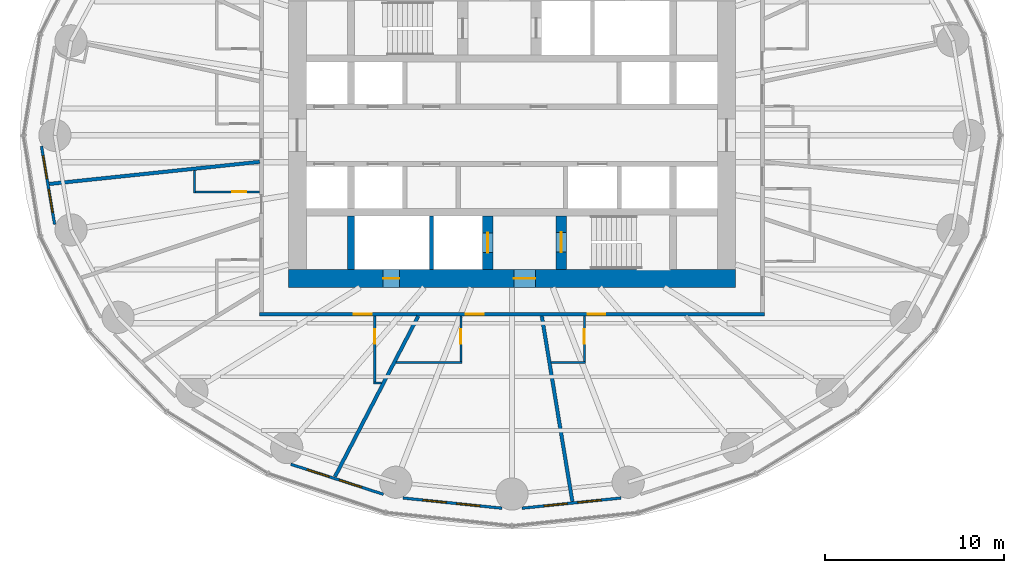
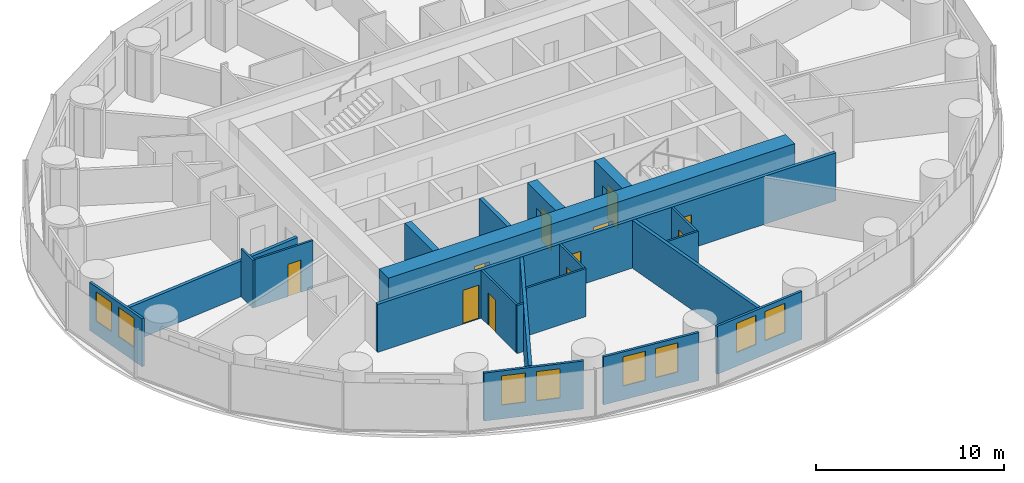
# One storey, part 6 of 13: 21 walls, 11 doors, 8 windows, 19 openings.
"""IFC4 building model written with IfcOpenShell, lengths in metres."""

from ifc_helpers import new_model, si_unit, direction, frame, frame_2d, origin, place, context, subcontext, project, spatial, rectangle, extrude, material, layer, layer_set, type_object, element, fill, save


model = new_model("IFC4")

# Units and contexts
model_context = context("Model", 3, precision=1e-05, world=origin(), true_north=direction((0.0, 1.0)))
body_context = subcontext(model_context, "Body", "Model", "MODEL_VIEW")
ifc_project = project(units=[si_unit("LENGTHUNIT", "METRE"), si_unit("AREAUNIT", "SQUARE_METRE"), si_unit("VOLUMEUNIT", "CUBIC_METRE"), si_unit("PLANEANGLEUNIT", "RADIAN"), si_unit("MASSUNIT", "GRAM", prefix="KILO")], contexts=[model_context])

# Site, building, storey
site_placement = place(None, origin())
site = spatial("IfcSite", under=ifc_project, at=site_placement, CompositionType="ELEMENT")
building_placement = place(site_placement, origin())
building = spatial("IfcBuilding", under=site, at=building_placement, Name="Hankou Lantern Tower", CompositionType="ELEMENT")
storey_placement = place(building_placement, frame((0.0, 0.0, 39.300048828125)))
storey = spatial("IfcBuildingStorey", under=building, at=storey_placement, Name="L08", CompositionType="ELEMENT", Elevation=39.300048828125)

# Wall, openings, doors
ifc_material_1 = material(Name="Concrete C60", Category="concrete")
ifc_layer_1 = layer(ifc_material_1, 1.0)
ifc_layer_set_1 = layer_set([ifc_layer_1], Name="Concrete C60")
wall_type_1 = type_object("IfcWallType", Name="CW1 CORE WALL 1000", PredefinedType="SHEAR", material=ifc_layer_set_1)
wall_1_placement = place(storey_placement, frame((12.5, -8.0, 0.0), z_axis=(0.0, 0.0, 1.0), x_axis=(-1.0, 0.0, 0.0)))
wall_1 = element("IfcWall", 1, at=wall_1_placement, inside=storey, type_object=wall_type_1, Name="Core wall south L08", PredefinedType="SHEAR", context=body_context, shape_type="SweptSolid", body=[
    extrude(rectangle(XDim=25.0, YDim=1.0, at=frame_2d((12.5, 0.0))), origin(), (0.0, 0.0, 1.0), 3.300048828125),
])
opening_1_placement = place(wall_1_placement, frame((11.199951171875, 0.0, 0.0)))
opening_1 = element("IfcOpeningElement", 2, at=opening_1_placement, cuts=wall_1, Name="Opening D5", PredefinedType="OPENING", context=body_context, shape_type="SweptSolid", body=[
    extrude(rectangle(XDim=1.199951171875, YDim=2.199951171875, at=frame_2d((0.60009765625, 1.10009765625))), frame((0.0, 0.510009765625, 0.0), z_axis=(0.0, -1.0, 0.0), x_axis=(1.0, 0.0, 0.0)), (0.0, 0.0, 1.0), 1.02001953125),
])
opening_2_placement = place(wall_1_placement, frame((18.800048828125, 0.0, 0.0)))
opening_2 = element("IfcOpeningElement", 3, at=opening_2_placement, cuts=wall_1, Name="Opening D7", PredefinedType="OPENING", context=body_context, shape_type="SweptSolid", body=[
    extrude(rectangle(XDim=0.89990234375, YDim=2.199951171875, at=frame_2d((0.449951171875, 1.10009765625))), frame((0.0, 0.510009765625, 0.0), z_axis=(0.0, -1.0, 0.0), x_axis=(1.0, 0.0, 0.0)), (0.0, 0.0, 1.0), 1.02001953125),
])
ifc_material_2 = material(Name="Steel door leaf", Category="steel")
door_type_1 = type_object("IfcDoorType", Name="D5 STAIR LOBBY DOOR 1200X2200", OperationType="SINGLE_SWING_LEFT", PredefinedType="DOOR", material=ifc_material_2)
door_1_placement = place(opening_1_placement, origin())
door_1 = element("IfcDoor", 4, at=door_1_placement, inside=storey, type_object=door_type_1, Name="Stair B lobby door", OperationType="SINGLE_SWING_LEFT", OverallHeight=2.199951171875, OverallWidth=1.199951171875, PredefinedType="DOOR", context=body_context, shape_type="SweptSolid", body=[
    extrude(rectangle(XDim=1.199951171875, YDim=2.199951171875, at=frame_2d((0.60009765625, 1.10009765625))), frame((0.0, 0.02490234375, 0.0), z_axis=(0.0, -1.0, 0.0), x_axis=(1.0, 0.0, 0.0)), (0.0, 0.0, 1.0), 0.050048828125),
])
fill(opening_1, door_1)
ifc_material_3 = material(Name="Steel door leaf", Category="steel")
door_type_2 = type_object("IfcDoorType", Name="D7 RISER DOOR 900X2200", OperationType="SINGLE_SWING_LEFT", PredefinedType="DOOR", material=ifc_material_3)
door_2_placement = place(opening_2_placement, origin())
door_2 = element("IfcDoor", 5, at=door_2_placement, inside=storey, type_object=door_type_2, Name="Riser S1 door", OperationType="SINGLE_SWING_RIGHT", OverallHeight=2.199951171875, OverallWidth=0.89990234375, PredefinedType="DOOR", context=body_context, shape_type="SweptSolid", body=[
    extrude(rectangle(XDim=0.89990234375, YDim=2.199951171875, at=frame_2d((0.449951171875, 1.10009765625))), frame((0.0, 0.02490234375, 0.0), z_axis=(0.0, -1.0, 0.0), x_axis=(1.0, 0.0, 0.0)), (0.0, 0.0, 1.0), 0.050048828125),
])
fill(opening_2, door_2)

# Wall
ifc_material_4 = material(Name="Concrete C60", Category="concrete")
ifc_layer_2 = layer(ifc_material_4, 0.39990234375)
ifc_layer_set_2 = layer_set([ifc_layer_2], Name="Concrete C60")
wall_type_2 = type_object("IfcWallType", Name="CW4 CORE CROSS WALL 400", PredefinedType="SHEAR", material=ifc_layer_set_2)
wall_2_placement = place(storey_placement, frame((-9.0, -7.5, 0.0), z_axis=(0.0, 0.0, 1.0), x_axis=(0.0, 1.0, 0.0)))
element("IfcWall", 6, at=wall_2_placement, inside=storey, type_object=wall_type_2, Name="Core strip wall L08", PredefinedType="SHEAR", context=body_context, shape_type="SweptSolid", body=[
    extrude(rectangle(XDim=3.0, YDim=0.39990234375, at=frame_2d((1.5, 0.0))), origin(), (0.0, 0.0, 1.0), 3.300048828125),
])

# Wall, opening, door
ifc_material_5 = material(Name="Concrete C60", Category="concrete")
ifc_layer_3 = layer(ifc_material_5, 0.60009765625)
ifc_layer_set_3 = layer_set([ifc_layer_3], Name="Concrete C60")
wall_type_3 = type_object("IfcWallType", Name="CW6 STAIR AND SHAFT WALL 600", PredefinedType="SHEAR", material=ifc_layer_set_3)
wall_3_placement = place(storey_placement, frame((2.75, -7.5, 0.0), z_axis=(0.0, 0.0, 1.0), x_axis=(0.0, 1.0, 0.0)))
wall_3 = element("IfcWall", 7, at=wall_3_placement, inside=storey, type_object=wall_type_3, Name="Stair wall L08", PredefinedType="SHEAR", context=body_context, shape_type="SweptSolid", body=[
    extrude(rectangle(XDim=3.0, YDim=0.60009765625, at=frame_2d((1.5, 0.0))), origin(), (0.0, 0.0, 1.0), 3.300048828125),
])
opening_3_placement = place(wall_3_placement, frame((0.97509765625, 0.0, 0.0)))
opening_3 = element("IfcOpeningElement", 8, at=opening_3_placement, cuts=wall_3, Name="Opening D4", PredefinedType="OPENING", context=body_context, shape_type="SweptSolid", body=[
    extrude(rectangle(XDim=1.10009765625, YDim=2.199951171875, at=frame_2d((0.550048828125, 1.10009765625))), frame((0.0, 0.31005859375, 0.0), z_axis=(0.0, -1.0, 0.0), x_axis=(1.0, 0.0, 0.0)), (0.0, 0.0, 1.0), 0.6201171875),
])
ifc_material_6 = material(Name="Steel door leaf", Category="steel")
door_type_3 = type_object("IfcDoorType", Name="D4 STAIR DOOR 1100X2200", OperationType="SINGLE_SWING_LEFT", PredefinedType="DOOR", material=ifc_material_6)
door_3_placement = place(opening_3_placement, origin())
door_3 = element("IfcDoor", 9, at=door_3_placement, inside=storey, type_object=door_type_3, Name="Stair B door", OperationType="SINGLE_SWING_RIGHT", OverallHeight=2.199951171875, OverallWidth=1.10009765625, PredefinedType="DOOR", context=body_context, shape_type="SweptSolid", body=[
    extrude(rectangle(XDim=1.10009765625, YDim=2.199951171875, at=frame_2d((0.550048828125, 1.10009765625))), frame((0.0, 0.02490234375, 0.0), z_axis=(0.0, -1.0, 0.0), x_axis=(1.0, 0.0, 0.0)), (0.0, 0.0, 1.0), 0.050048828125),
])
fill(opening_3, door_3)

wall_4_placement = place(storey_placement, frame((-1.35009765625, -7.5, 0.0), z_axis=(0.0, 0.0, 1.0), x_axis=(0.0, 1.0, 0.0)))
wall_4 = element("IfcWall", 10, at=wall_4_placement, inside=storey, type_object=wall_type_3, Name="Firefighting lift shaft wall L08", PredefinedType="SHEAR", context=body_context, shape_type="SweptSolid", body=[
    extrude(rectangle(XDim=3.0, YDim=0.60009765625, at=frame_2d((1.5, 0.0))), origin(), (0.0, 0.0, 1.0), 3.300048828125),
])
opening_4_placement = place(wall_4_placement, frame((0.949951171875, 0.0, 0.0)))
opening_4 = element("IfcOpeningElement", 11, at=opening_4_placement, cuts=wall_4, Name="Opening LD2", PredefinedType="OPENING", context=body_context, shape_type="SweptSolid", body=[
    extrude(rectangle(XDim=1.10009765625, YDim=2.199951171875, at=frame_2d((0.550048828125, 1.10009765625))), frame((0.0, 0.31005859375, 0.0), z_axis=(0.0, -1.0, 0.0), x_axis=(1.0, 0.0, 0.0)), (0.0, 0.0, 1.0), 0.6201171875),
])
ifc_material_7 = material(Name="Steel door leaf", Category="steel")
door_type_4 = type_object("IfcDoorType", Name="LD2 FIREFIGHTING LIFT LANDING DOOR 1100X2200", OperationType="DOUBLE_DOOR_SLIDING", PredefinedType="DOOR", material=ifc_material_7)
door_4_placement = place(opening_4_placement, origin())
door_4 = element("IfcDoor", 12, at=door_4_placement, inside=storey, type_object=door_type_4, Name="Firefighting lift FL2 landing door", OperationType="DOUBLE_DOOR_SLIDING", OverallHeight=2.199951171875, OverallWidth=1.10009765625, PredefinedType="DOOR", context=body_context, shape_type="SweptSolid", body=[
    extrude(rectangle(XDim=1.10009765625, YDim=2.199951171875, at=frame_2d((0.550048828125, 1.10009765625))), frame((0.0, 0.02490234375, 0.0), z_axis=(0.0, -1.0, 0.0), x_axis=(1.0, 0.0, 0.0)), (0.0, 0.0, 1.0), 0.050048828125),
])
fill(opening_4, door_4)

# Wall, openings, windows
ifc_material_8 = material(Name="Aluminium spandrel panel on steel studs", Category="steel")
ifc_layer_4 = layer(ifc_material_8, 0.14990234375)
ifc_layer_set_4 = layer_set([ifc_layer_4], Name="Aluminium spandrel panel on steel studs")
wall_type_4 = type_object("IfcWallType", Name="EW1 INNER SKIN WALL 150", PredefinedType="ELEMENTEDWALL", material=ifc_layer_set_4)
wall_5_placement = place(storey_placement, frame((-26.29736328125, -0.611083984375, 0.0), z_axis=(0.0, 0.0, 1.0), x_axis=(0.165641751141, -0.986185991727, 0.0)))
wall_5 = element("IfcWall", 13, at=wall_5_placement, inside=storey, type_object=wall_type_4, Name="Inner skin R13-R14 L08", PredefinedType="ELEMENTEDWALL", context=body_context, shape_type="SweptSolid", body=[
    extrude(rectangle(XDim=4.427734375, YDim=0.14990234375, at=frame_2d((2.2138671875, 0.0))), origin(), (0.0, 0.0, 1.0), 3.119873046875),
])
opening_5_placement = place(wall_5_placement, frame((0.5498046875, 0.0, 0.89990234375)))
opening_5 = element("IfcOpeningElement", 14, at=opening_5_placement, cuts=wall_5, Name="Opening W9", PredefinedType="OPENING", context=body_context, shape_type="SweptSolid", body=[
    extrude(rectangle(XDim=1.300048828125, YDim=1.89990234375, at=frame_2d((0.64990234375, 0.949951171875))), frame((0.0, 0.0849609375, 0.0), z_axis=(0.0, -1.0, 0.0), x_axis=(1.0, 0.0, 0.0)), (0.0, 0.0, 1.0), 0.169921875),
])
opening_6_placement = place(wall_5_placement, frame((2.44970703125, 0.0, 0.89990234375)))
opening_6 = element("IfcOpeningElement", 15, at=opening_6_placement, cuts=wall_5, Name="Opening W9", PredefinedType="OPENING", context=body_context, shape_type="SweptSolid", body=[
    extrude(rectangle(XDim=1.300048828125, YDim=1.89990234375, at=frame_2d((0.64990234375, 0.949951171875))), frame((0.0, 0.0849609375, 0.0), z_axis=(0.0, -1.0, 0.0), x_axis=(1.0, 0.0, 0.0)), (0.0, 0.0, 1.0), 0.169921875),
])
ifc_material_9 = material(Name="Aluminium framed double glazed window", Category="aluminium")
window_type = type_object("IfcWindowType", Name="W9 GUEST ROOM WINDOW 1300X1900", PartitioningType="DOUBLE_PANEL_VERTICAL", PredefinedType="WINDOW", material=ifc_material_9)
window_1_placement = place(opening_5_placement, origin())
window_1 = element("IfcWindow", 16, at=window_1_placement, inside=storey, type_object=window_type, Name="Window R13.1 L08", OverallHeight=1.89990234375, OverallWidth=1.300048828125, PartitioningType="SINGLE_PANEL", PredefinedType="WINDOW", context=body_context, shape_type="SweptSolid", body=[
    extrude(rectangle(XDim=1.300048828125, YDim=1.89990234375, at=frame_2d((0.64990234375, 0.949951171875))), frame((0.0, 0.030029296875, 0.0), z_axis=(0.0, -1.0, 0.0), x_axis=(1.0, 0.0, 0.0)), (0.0, 0.0, 1.0), 0.06005859375),
])
fill(opening_5, window_1)
window_2_placement = place(opening_6_placement, origin())
window_2 = element("IfcWindow", 17, at=window_2_placement, inside=storey, type_object=window_type, Name="Window R13.2 L08", OverallHeight=1.89990234375, OverallWidth=1.300048828125, PartitioningType="SINGLE_PANEL", PredefinedType="WINDOW", context=body_context, shape_type="SweptSolid", body=[
    extrude(rectangle(XDim=1.300048828125, YDim=1.89990234375, at=frame_2d((0.64990234375, 0.949951171875))), frame((0.0, 0.030029296875, 0.0), z_axis=(0.0, -1.0, 0.0), x_axis=(1.0, 0.0, 0.0)), (0.0, 0.0, 1.0), 0.06005859375),
])
fill(opening_6, window_2)

wall_6_placement = place(storey_placement, frame((-12.3662109375, -18.384033203125, 0.0), z_axis=(0.0, 0.0, 1.0), x_axis=(0.951138486029, -0.308764603532, 0.0)))
wall_6 = element("IfcWall", 18, at=wall_6_placement, inside=storey, type_object=wall_type_4, Name="Inner skin R17-R18 L08", PredefinedType="ELEMENTEDWALL", context=body_context, shape_type="SweptSolid", body=[
    extrude(rectangle(XDim=5.444091796875, YDim=0.14990234375, at=frame_2d((2.72216796875, 0.0))), origin(), (0.0, 0.0, 1.0), 3.119873046875),
])
opening_7_placement = place(wall_6_placement, frame((0.959716796875, 0.0, 0.89990234375)))
opening_7 = element("IfcOpeningElement", 19, at=opening_7_placement, cuts=wall_6, Name="Opening W9", PredefinedType="OPENING", context=body_context, shape_type="SweptSolid", body=[
    extrude(rectangle(XDim=1.300048828125, YDim=1.89990234375, at=frame_2d((0.64990234375, 0.949951171875))), frame((0.0, 0.0849609375, 0.0), z_axis=(0.0, -1.0, 0.0), x_axis=(1.0, 0.0, 0.0)), (0.0, 0.0, 1.0), 0.169921875),
])
opening_8_placement = place(wall_6_placement, frame((2.85986328125, 0.0, 0.89990234375)))
opening_8 = element("IfcOpeningElement", 20, at=opening_8_placement, cuts=wall_6, Name="Opening W9", PredefinedType="OPENING", context=body_context, shape_type="SweptSolid", body=[
    extrude(rectangle(XDim=1.300048828125, YDim=1.89990234375, at=frame_2d((0.64990234375, 0.949951171875))), frame((0.0, 0.0849609375, 0.0), z_axis=(0.0, -1.0, 0.0), x_axis=(1.0, 0.0, 0.0)), (0.0, 0.0, 1.0), 0.169921875),
])
window_3_placement = place(opening_7_placement, origin())
window_3 = element("IfcWindow", 21, at=window_3_placement, inside=storey, type_object=window_type, Name="Window R17.1 L08", OverallHeight=1.89990234375, OverallWidth=1.300048828125, PartitioningType="SINGLE_PANEL", PredefinedType="WINDOW", context=body_context, shape_type="SweptSolid", body=[
    extrude(rectangle(XDim=1.300048828125, YDim=1.89990234375, at=frame_2d((0.64990234375, 0.949951171875))), frame((0.0, 0.030029296875, 0.0), z_axis=(0.0, -1.0, 0.0), x_axis=(1.0, 0.0, 0.0)), (0.0, 0.0, 1.0), 0.06005859375),
])
fill(opening_7, window_3)
window_4_placement = place(opening_8_placement, origin())
window_4 = element("IfcWindow", 22, at=window_4_placement, inside=storey, type_object=window_type, Name="Window R17.2 L08", OverallHeight=1.89990234375, OverallWidth=1.300048828125, PartitioningType="SINGLE_PANEL", PredefinedType="WINDOW", context=body_context, shape_type="SweptSolid", body=[
    extrude(rectangle(XDim=1.300048828125, YDim=1.89990234375, at=frame_2d((0.64990234375, 0.949951171875))), frame((0.0, 0.030029296875, 0.0), z_axis=(0.0, -1.0, 0.0), x_axis=(1.0, 0.0, 0.0)), (0.0, 0.0, 1.0), 0.06005859375),
])
fill(opening_8, window_4)

wall_7_placement = place(storey_placement, frame((-6.09765625, -20.27099609375, 0.0), z_axis=(0.0, 0.0, 1.0), x_axis=(0.994723735084, -0.102589915983, 0.0)))
wall_7 = element("IfcWall", 23, at=wall_7_placement, inside=storey, type_object=wall_type_4, Name="Inner skin R18-R19 L08", PredefinedType="ELEMENTEDWALL", context=body_context, shape_type="SweptSolid", body=[
    extrude(rectangle(XDim=5.575927734375, YDim=0.14990234375, at=frame_2d((2.7880859375, 0.0))), origin(), (0.0, 0.0, 1.0), 3.119873046875),
])
opening_9_placement = place(wall_7_placement, frame((1.128662109375, 0.0, 0.89990234375)))
opening_9 = element("IfcOpeningElement", 24, at=opening_9_placement, cuts=wall_7, Name="Opening W9", PredefinedType="OPENING", context=body_context, shape_type="SweptSolid", body=[
    extrude(rectangle(XDim=1.300048828125, YDim=1.89990234375, at=frame_2d((0.64990234375, 0.949951171875))), frame((0.0, 0.0849609375, 0.0), z_axis=(0.0, -1.0, 0.0), x_axis=(1.0, 0.0, 0.0)), (0.0, 0.0, 1.0), 0.169921875),
])
opening_10_placement = place(wall_7_placement, frame((3.02880859375, 0.0, 0.89990234375)))
opening_10 = element("IfcOpeningElement", 25, at=opening_10_placement, cuts=wall_7, Name="Opening W9", PredefinedType="OPENING", context=body_context, shape_type="SweptSolid", body=[
    extrude(rectangle(XDim=1.300048828125, YDim=1.89990234375, at=frame_2d((0.64990234375, 0.949951171875))), frame((0.0, 0.0849609375, 0.0), z_axis=(0.0, -1.0, 0.0), x_axis=(1.0, 0.0, 0.0)), (0.0, 0.0, 1.0), 0.169921875),
])
window_5_placement = place(opening_9_placement, origin())
window_5 = element("IfcWindow", 26, at=window_5_placement, inside=storey, type_object=window_type, Name="Window R18.1 L08", OverallHeight=1.89990234375, OverallWidth=1.300048828125, PartitioningType="SINGLE_PANEL", PredefinedType="WINDOW", context=body_context, shape_type="SweptSolid", body=[
    extrude(rectangle(XDim=1.300048828125, YDim=1.89990234375, at=frame_2d((0.64990234375, 0.949951171875))), frame((0.0, 0.030029296875, 0.0), z_axis=(0.0, -1.0, 0.0), x_axis=(1.0, 0.0, 0.0)), (0.0, 0.0, 1.0), 0.06005859375),
])
fill(opening_9, window_5)
window_6_placement = place(opening_10_placement, origin())
window_6 = element("IfcWindow", 27, at=window_6_placement, inside=storey, type_object=window_type, Name="Window R18.2 L08", OverallHeight=1.89990234375, OverallWidth=1.300048828125, PartitioningType="SINGLE_PANEL", PredefinedType="WINDOW", context=body_context, shape_type="SweptSolid", body=[
    extrude(rectangle(XDim=1.300048828125, YDim=1.89990234375, at=frame_2d((0.64990234375, 0.949951171875))), frame((0.0, 0.030029296875, 0.0), z_axis=(0.0, -1.0, 0.0), x_axis=(1.0, 0.0, 0.0)), (0.0, 0.0, 1.0), 0.06005859375),
])
fill(opening_10, window_6)

wall_8_placement = place(storey_placement, frame((0.55126953125, -20.843017578125, 0.0), z_axis=(0.0, 0.0, 1.0), x_axis=(0.994723735084, 0.102589915983, 0.0)))
wall_8 = element("IfcWall", 28, at=wall_8_placement, inside=storey, type_object=wall_type_4, Name="Inner skin R19-R20 L08", PredefinedType="ELEMENTEDWALL", context=body_context, shape_type="SweptSolid", body=[
    extrude(rectangle(XDim=5.575927734375, YDim=0.14990234375, at=frame_2d((2.7880859375, 0.0))), origin(), (0.0, 0.0, 1.0), 3.119873046875),
])
opening_11_placement = place(wall_8_placement, frame((1.246826171875, 0.0, 0.89990234375)))
opening_11 = element("IfcOpeningElement", 29, at=opening_11_placement, cuts=wall_8, Name="Opening W9", PredefinedType="OPENING", context=body_context, shape_type="SweptSolid", body=[
    extrude(rectangle(XDim=1.300048828125, YDim=1.89990234375, at=frame_2d((0.64990234375, 0.949951171875))), frame((0.0, 0.0849609375, 0.0), z_axis=(0.0, -1.0, 0.0), x_axis=(1.0, 0.0, 0.0)), (0.0, 0.0, 1.0), 0.169921875),
])
opening_12_placement = place(wall_8_placement, frame((3.146728515625, 0.0, 0.89990234375)))
opening_12 = element("IfcOpeningElement", 30, at=opening_12_placement, cuts=wall_8, Name="Opening W9", PredefinedType="OPENING", context=body_context, shape_type="SweptSolid", body=[
    extrude(rectangle(XDim=1.300048828125, YDim=1.89990234375, at=frame_2d((0.64990234375, 0.949951171875))), frame((0.0, 0.0849609375, 0.0), z_axis=(0.0, -1.0, 0.0), x_axis=(1.0, 0.0, 0.0)), (0.0, 0.0, 1.0), 0.169921875),
])
window_7_placement = place(opening_11_placement, origin())
window_7 = element("IfcWindow", 31, at=window_7_placement, inside=storey, type_object=window_type, Name="Window R19.1 L08", OverallHeight=1.89990234375, OverallWidth=1.300048828125, PartitioningType="SINGLE_PANEL", PredefinedType="WINDOW", context=body_context, shape_type="SweptSolid", body=[
    extrude(rectangle(XDim=1.300048828125, YDim=1.89990234375, at=frame_2d((0.64990234375, 0.949951171875))), frame((0.0, 0.030029296875, 0.0), z_axis=(0.0, -1.0, 0.0), x_axis=(1.0, 0.0, 0.0)), (0.0, 0.0, 1.0), 0.06005859375),
])
fill(opening_11, window_7)
window_8_placement = place(opening_12_placement, origin())
window_8 = element("IfcWindow", 32, at=window_8_placement, inside=storey, type_object=window_type, Name="Window R19.2 L08", OverallHeight=1.89990234375, OverallWidth=1.300048828125, PartitioningType="SINGLE_PANEL", PredefinedType="WINDOW", context=body_context, shape_type="SweptSolid", body=[
    extrude(rectangle(XDim=1.300048828125, YDim=1.89990234375, at=frame_2d((0.64990234375, 0.949951171875))), frame((0.0, 0.030029296875, 0.0), z_axis=(0.0, -1.0, 0.0), x_axis=(1.0, 0.0, 0.0)), (0.0, 0.0, 1.0), 0.06005859375),
])
fill(opening_12, window_8)

# Walls
ifc_material_10 = material(Name="Masonry lightweight concrete block", Category="masonry")
ifc_layer_5 = layer(ifc_material_10, 0.199951171875)
ifc_layer_set_5 = layer_set([ifc_layer_5], Name="Masonry lightweight concrete block")
wall_type_5 = type_object("IfcWallType", Name="IW1 GUEST ROOM PARTY WALL 200", PredefinedType="PARTITIONING", material=ifc_layer_set_5)
wall_9_placement = place(storey_placement, frame((-14.10009765625, -1.48193359375, 0.0), z_axis=(0.0, 0.0, 1.0), x_axis=(-0.994522076235, -0.104526742422, 0.0)))
element("IfcWall", 33, at=wall_9_placement, inside=storey, type_object=wall_type_5, Name="Party wall R13-R14", PredefinedType="PARTITIONING", context=body_context, shape_type="SweptSolid", body=[
    extrude(rectangle(XDim=11.82080078125, YDim=0.199951171875, at=frame_2d((5.910400390625, 0.0))), origin(), (0.0, 0.0, 1.0), 2.320068359375),
])
wall_10_placement = place(storey_placement, frame((-5.238525390625, -10.10009765625, 0.0), z_axis=(0.0, 0.0, 1.0), x_axis=(-0.460422783389, -0.887699758103, 0.0)))
element("IfcWall", 34, at=wall_10_placement, inside=storey, type_object=wall_type_5, Name="Party wall R17-R18", PredefinedType="PARTITIONING", context=body_context, shape_type="SweptSolid", body=[
    extrude(rectangle(XDim=10.120361328125, YDim=0.199951171875, at=frame_2d((5.06005859375, 0.0))), origin(), (0.0, 0.0, 1.0), 3.119873046875),
])
wall_11_placement = place(storey_placement, frame((1.6650390625, -10.10009765625, 0.0), z_axis=(0.0, 0.0, 1.0), x_axis=(0.162657606458, -0.986682574621, 0.0)))
element("IfcWall", 35, at=wall_11_placement, inside=storey, type_object=wall_type_5, Name="Party wall R19-R20", PredefinedType="PARTITIONING", context=body_context, shape_type="SweptSolid", body=[
    extrude(rectangle(XDim=10.505126953125, YDim=0.199951171875, at=frame_2d((5.25244140625, 0.0))), origin(), (0.0, 0.0, 1.0), 3.119873046875),
])

# Wall, openings, doors
ifc_material_11 = material(Name="Masonry lightweight concrete block", Category="masonry")
ifc_layer_6 = layer(ifc_material_11, 0.199951171875)
ifc_layer_set_6 = layer_set([ifc_layer_6], Name="Masonry lightweight concrete block")
wall_type_6 = type_object("IfcWallType", Name="IW2 CORRIDOR WALL 200", PredefinedType="PARTITIONING", material=ifc_layer_set_6)
wall_12_placement = place(storey_placement, frame((14.10009765625, -10.0, 0.0), z_axis=(0.0, 0.0, 1.0), x_axis=(-1.0, 0.0, 0.0)))
wall_12 = element("IfcWall", 36, at=wall_12_placement, inside=storey, type_object=wall_type_6, Name="Corridor wall south", PredefinedType="PARTITIONING", context=body_context, shape_type="SweptSolid", body=[
    extrude(rectangle(XDim=28.2001953125, YDim=0.199951171875, at=frame_2d((14.10009765625, 0.0))), origin(), (0.0, 0.0, 1.0), 3.119873046875),
])
opening_13_placement = place(wall_12_placement, frame((21.948486328125, 0.0, 0.0)))
opening_13 = element("IfcOpeningElement", 37, at=opening_13_placement, cuts=wall_12, Name="Opening D2", PredefinedType="OPENING", context=body_context, shape_type="SweptSolid", body=[
    extrude(rectangle(XDim=1.0, YDim=2.199951171875, at=frame_2d((0.5, 1.10009765625))), frame((0.0, 0.10986328125, 0.0), z_axis=(0.0, -1.0, 0.0), x_axis=(1.0, 0.0, 0.0)), (0.0, 0.0, 1.0), 0.219970703125),
])
opening_14_placement = place(wall_12_placement, frame((15.68359375, 0.0, 0.0)))
opening_14 = element("IfcOpeningElement", 38, at=opening_14_placement, cuts=wall_12, Name="Opening D2", PredefinedType="OPENING", context=body_context, shape_type="SweptSolid", body=[
    extrude(rectangle(XDim=1.0, YDim=2.199951171875, at=frame_2d((0.5, 1.10009765625))), frame((0.0, 0.10986328125, 0.0), z_axis=(0.0, -1.0, 0.0), x_axis=(1.0, 0.0, 0.0)), (0.0, 0.0, 1.0), 0.219970703125),
])
opening_15_placement = place(wall_12_placement, frame((8.875, 0.0, 0.0)))
opening_15 = element("IfcOpeningElement", 39, at=opening_15_placement, cuts=wall_12, Name="Opening D2", PredefinedType="OPENING", context=body_context, shape_type="SweptSolid", body=[
    extrude(rectangle(XDim=1.0, YDim=2.199951171875, at=frame_2d((0.5, 1.10009765625))), frame((0.0, 0.10986328125, 0.0), z_axis=(0.0, -1.0, 0.0), x_axis=(1.0, 0.0, 0.0)), (0.0, 0.0, 1.0), 0.219970703125),
])
ifc_material_12 = material(Name="Steel door leaf", Category="steel")
door_type_5 = type_object("IfcDoorType", Name="D2 SUITE DOOR 1000X2200", OperationType="SINGLE_SWING_LEFT", PredefinedType="DOOR", material=ifc_material_12)
door_5_placement = place(opening_13_placement, origin())
door_5 = element("IfcDoor", 40, at=door_5_placement, inside=storey, type_object=door_type_5, Name="Suite door 0815", OperationType="SINGLE_SWING_LEFT", OverallHeight=2.199951171875, OverallWidth=1.0, PredefinedType="DOOR", context=body_context, shape_type="SweptSolid", body=[
    extrude(rectangle(XDim=1.0, YDim=2.199951171875, at=frame_2d((0.5, 1.10009765625))), frame((0.0, 0.02490234375, 0.0), z_axis=(0.0, -1.0, 0.0), x_axis=(1.0, 0.0, 0.0)), (0.0, 0.0, 1.0), 0.050048828125),
])
fill(opening_13, door_5)
door_6_placement = place(opening_14_placement, origin())
door_6 = element("IfcDoor", 41, at=door_6_placement, inside=storey, type_object=door_type_5, Name="Suite door 0816", OperationType="SINGLE_SWING_RIGHT", OverallHeight=2.199951171875, OverallWidth=1.0, PredefinedType="DOOR", context=body_context, shape_type="SweptSolid", body=[
    extrude(rectangle(XDim=1.0, YDim=2.199951171875, at=frame_2d((0.5, 1.10009765625))), frame((0.0, 0.02490234375, 0.0), z_axis=(0.0, -1.0, 0.0), x_axis=(1.0, 0.0, 0.0)), (0.0, 0.0, 1.0), 0.050048828125),
])
fill(opening_14, door_6)
door_7_placement = place(opening_15_placement, origin())
door_7 = element("IfcDoor", 42, at=door_7_placement, inside=storey, type_object=door_type_5, Name="Suite door 0817", OperationType="SINGLE_SWING_RIGHT", OverallHeight=2.199951171875, OverallWidth=1.0, PredefinedType="DOOR", context=body_context, shape_type="SweptSolid", body=[
    extrude(rectangle(XDim=1.0, YDim=2.199951171875, at=frame_2d((0.5, 1.10009765625))), frame((0.0, 0.02490234375, 0.0), z_axis=(0.0, -1.0, 0.0), x_axis=(1.0, 0.0, 0.0)), (0.0, 0.0, 1.0), 0.050048828125),
])
fill(opening_15, door_7)

# Wall
ifc_material_13 = material(Name="Masonry lightweight concrete block", Category="masonry")
ifc_layer_7 = layer(ifc_material_13, 0.1201171875)
ifc_layer_set_7 = layer_set([ifc_layer_7], Name="Masonry lightweight concrete block")
wall_type_7 = type_object("IfcWallType", Name="IW3 BATHROOM WALL 120", PredefinedType="PARTITIONING", material=ifc_layer_set_7)
wall_13_placement = place(storey_placement, frame((-17.75, -1.965576171875, 0.0), z_axis=(0.0, 0.0, 1.0), x_axis=(0.0, -1.0, 0.0)))
element("IfcWall", 43, at=wall_13_placement, inside=storey, type_object=wall_type_7, Name="Box wall 0813 1", PredefinedType="PARTITIONING", context=body_context, shape_type="SweptSolid", body=[
    extrude(rectangle(XDim=1.25634765625, YDim=0.1201171875, at=frame_2d((0.628173828125, 0.0))), origin(), (0.0, 0.0, 1.0), 3.119873046875),
])

# Wall, opening, door
wall_14_placement = place(storey_placement, frame((-14.10009765625, -3.161865234375, 0.0), z_axis=(0.0, 0.0, 1.0), x_axis=(-1.0, 0.0, 0.0)))
wall_14 = element("IfcWall", 44, at=wall_14_placement, inside=storey, type_object=wall_type_7, Name="Box wall 0813 1", PredefinedType="PARTITIONING", context=body_context, shape_type="SweptSolid", body=[
    extrude(rectangle(XDim=3.58984375, YDim=0.1201171875, at=frame_2d((1.794921875, 0.0))), origin(), (0.0, 0.0, 1.0), 3.119873046875),
])
opening_16_placement = place(wall_14_placement, frame((0.75, 0.0, 0.0)))
opening_16 = element("IfcOpeningElement", 45, at=opening_16_placement, cuts=wall_14, Name="Opening D3", PredefinedType="OPENING", context=body_context, shape_type="SweptSolid", body=[
    extrude(rectangle(XDim=0.800048828125, YDim=2.10009765625, at=frame_2d((0.39990234375, 1.050048828125))), frame((0.0, 0.070068359375, 0.0), z_axis=(0.0, -1.0, 0.0), x_axis=(1.0, 0.0, 0.0)), (0.0, 0.0, 1.0), 0.14013671875),
])
ifc_material_14 = material(Name="Timber door leaf", Category="wood")
door_type_6 = type_object("IfcDoorType", Name="D3 BATHROOM DOOR 800X2100", OperationType="SINGLE_SWING_LEFT", PredefinedType="DOOR", material=ifc_material_14)
door_8_placement = place(opening_16_placement, origin())
door_8 = element("IfcDoor", 46, at=door_8_placement, inside=storey, type_object=door_type_6, Name="En-suite bathroom 0813 door", OperationType="SINGLE_SWING_LEFT", OverallHeight=2.10009765625, OverallWidth=0.800048828125, PredefinedType="DOOR", context=body_context, shape_type="SweptSolid", body=[
    extrude(rectangle(XDim=0.800048828125, YDim=2.10009765625, at=frame_2d((0.39990234375, 1.050048828125))), frame((0.0, 0.02490234375, 0.0), z_axis=(0.0, -1.0, 0.0), x_axis=(1.0, 0.0, 0.0)), (0.0, 0.0, 1.0), 0.050048828125),
])
fill(opening_16, door_8)

# Wall
wall_15_placement = place(storey_placement, frame((-7.28369140625, -13.85009765625, 0.0), z_axis=(0.0, 0.0, 1.0), x_axis=(-1.0, 0.0, 0.0)))
element("IfcWall", 47, at=wall_15_placement, inside=storey, type_object=wall_type_7, Name="Box wall 0815 1", PredefinedType="PARTITIONING", context=body_context, shape_type="SweptSolid", body=[
    extrude(rectangle(XDim=0.44482421875, YDim=0.1201171875, at=frame_2d((0.222412109375, 0.0))), origin(), (0.0, 0.0, 1.0), 3.119873046875),
])

# Wall, opening, door
wall_16_placement = place(storey_placement, frame((-7.668701171875, -10.10009765625, 0.0), z_axis=(0.0, 0.0, 1.0), x_axis=(0.0, -1.0, 0.0)))
wall_16 = element("IfcWall", 48, at=wall_16_placement, inside=storey, type_object=wall_type_7, Name="Box wall 0815 1", PredefinedType="PARTITIONING", context=body_context, shape_type="SweptSolid", body=[
    extrude(rectangle(XDim=3.68994140625, YDim=0.1201171875, at=frame_2d((1.844970703125, 0.0))), origin(), (0.0, 0.0, 1.0), 3.119873046875),
])
opening_17_placement = place(wall_16_placement, frame((0.75, 0.0, 0.0)))
opening_17 = element("IfcOpeningElement", 49, at=opening_17_placement, cuts=wall_16, Name="Opening D3", PredefinedType="OPENING", context=body_context, shape_type="SweptSolid", body=[
    extrude(rectangle(XDim=0.800048828125, YDim=2.10009765625, at=frame_2d((0.39990234375, 1.050048828125))), frame((0.0, 0.070068359375, 0.0), z_axis=(0.0, -1.0, 0.0), x_axis=(1.0, 0.0, 0.0)), (0.0, 0.0, 1.0), 0.14013671875),
])
door_9_placement = place(opening_17_placement, origin())
door_9 = element("IfcDoor", 50, at=door_9_placement, inside=storey, type_object=door_type_6, Name="Junior suite 0815 bathroom door", OperationType="SINGLE_SWING_LEFT", OverallHeight=2.10009765625, OverallWidth=0.800048828125, PredefinedType="DOOR", context=body_context, shape_type="SweptSolid", body=[
    extrude(rectangle(XDim=0.800048828125, YDim=2.10009765625, at=frame_2d((0.39990234375, 1.050048828125))), frame((0.0, 0.02490234375, 0.0), z_axis=(0.0, -1.0, 0.0), x_axis=(1.0, 0.0, 0.0)), (0.0, 0.0, 1.0), 0.050048828125),
])
fill(opening_17, door_9)

# Wall
wall_17_placement = place(storey_placement, frame((-6.487060546875, -12.699951171875, 0.0), z_axis=(0.0, 0.0, 1.0), x_axis=(1.0, 0.0, 0.0)))
element("IfcWall", 51, at=wall_17_placement, inside=storey, type_object=wall_type_7, Name="Box wall 0816 1", PredefinedType="PARTITIONING", context=body_context, shape_type="SweptSolid", body=[
    extrude(rectangle(XDim=3.6884765625, YDim=0.1201171875, at=frame_2d((1.84423828125, 0.0))), origin(), (0.0, 0.0, 1.0), 3.119873046875),
])

# Wall, opening, door
wall_18_placement = place(storey_placement, frame((-2.858642578125, -10.10009765625, 0.0), z_axis=(0.0, 0.0, 1.0), x_axis=(0.0, -1.0, 0.0)))
wall_18 = element("IfcWall", 52, at=wall_18_placement, inside=storey, type_object=wall_type_7, Name="Box wall 0816 1", PredefinedType="PARTITIONING", context=body_context, shape_type="SweptSolid", body=[
    extrude(rectangle(XDim=2.539794921875, YDim=0.1201171875, at=frame_2d((1.27001953125, 0.0))), origin(), (0.0, 0.0, 1.0), 3.119873046875),
])
opening_18_placement = place(wall_18_placement, frame((0.75, 0.0, 0.0)))
opening_18 = element("IfcOpeningElement", 53, at=opening_18_placement, cuts=wall_18, Name="Opening D3", PredefinedType="OPENING", context=body_context, shape_type="SweptSolid", body=[
    extrude(rectangle(XDim=0.800048828125, YDim=2.10009765625, at=frame_2d((0.39990234375, 1.050048828125))), frame((0.0, 0.070068359375, 0.0), z_axis=(0.0, -1.0, 0.0), x_axis=(1.0, 0.0, 0.0)), (0.0, 0.0, 1.0), 0.14013671875),
])
door_10_placement = place(opening_18_placement, origin())
door_10 = element("IfcDoor", 54, at=door_10_placement, inside=storey, type_object=door_type_6, Name="Junior suite 0816 bathroom door", OperationType="SINGLE_SWING_LEFT", OverallHeight=2.10009765625, OverallWidth=0.800048828125, PredefinedType="DOOR", context=body_context, shape_type="SweptSolid", body=[
    extrude(rectangle(XDim=0.800048828125, YDim=2.10009765625, at=frame_2d((0.39990234375, 1.050048828125))), frame((0.0, 0.02490234375, 0.0), z_axis=(0.0, -1.0, 0.0), x_axis=(1.0, 0.0, 0.0)), (0.0, 0.0, 1.0), 0.050048828125),
])
fill(opening_18, door_10)

# Wall
wall_19_placement = place(storey_placement, frame((2.193603515625, -12.699951171875, 0.0), z_axis=(0.0, 0.0, 1.0), x_axis=(1.0, 0.0, 0.0)))
element("IfcWall", 55, at=wall_19_placement, inside=storey, type_object=wall_type_7, Name="Box wall 0817 1", PredefinedType="PARTITIONING", context=body_context, shape_type="SweptSolid", body=[
    extrude(rectangle(XDim=1.911376953125, YDim=0.1201171875, at=frame_2d((0.95556640625, 0.0))), origin(), (0.0, 0.0, 1.0), 3.119873046875),
])

# Wall, opening, door
wall_20_placement = place(storey_placement, frame((4.044921875, -10.10009765625, 0.0), z_axis=(0.0, 0.0, 1.0), x_axis=(0.0, -1.0, 0.0)))
wall_20 = element("IfcWall", 56, at=wall_20_placement, inside=storey, type_object=wall_type_7, Name="Box wall 0817 1", PredefinedType="PARTITIONING", context=body_context, shape_type="SweptSolid", body=[
    extrude(rectangle(XDim=2.539794921875, YDim=0.1201171875, at=frame_2d((1.27001953125, 0.0))), origin(), (0.0, 0.0, 1.0), 3.119873046875),
])
opening_19_placement = place(wall_20_placement, frame((0.75, 0.0, 0.0)))
opening_19 = element("IfcOpeningElement", 57, at=opening_19_placement, cuts=wall_20, Name="Opening D3", PredefinedType="OPENING", context=body_context, shape_type="SweptSolid", body=[
    extrude(rectangle(XDim=0.800048828125, YDim=2.10009765625, at=frame_2d((0.39990234375, 1.050048828125))), frame((0.0, 0.070068359375, 0.0), z_axis=(0.0, -1.0, 0.0), x_axis=(1.0, 0.0, 0.0)), (0.0, 0.0, 1.0), 0.14013671875),
])
door_11_placement = place(opening_19_placement, origin())
door_11 = element("IfcDoor", 58, at=door_11_placement, inside=storey, type_object=door_type_6, Name="Junior suite 0817 bathroom door", OperationType="SINGLE_SWING_LEFT", OverallHeight=2.10009765625, OverallWidth=0.800048828125, PredefinedType="DOOR", context=body_context, shape_type="SweptSolid", body=[
    extrude(rectangle(XDim=0.800048828125, YDim=2.10009765625, at=frame_2d((0.39990234375, 1.050048828125))), frame((0.0, 0.02490234375, 0.0), z_axis=(0.0, -1.0, 0.0), x_axis=(1.0, 0.0, 0.0)), (0.0, 0.0, 1.0), 0.050048828125),
])
fill(opening_19, door_11)

# Wall
ifc_material_15 = material(Name="Masonry autoclaved aerated concrete block", Category="masonry")
ifc_layer_8 = layer(ifc_material_15, 0.25)
ifc_layer_set_8 = layer_set([ifc_layer_8], Name="Masonry autoclaved aerated concrete block")
wall_type_8 = type_object("IfcWallType", Name="SW1 SHAFT BLOCK WALL 250", PredefinedType="PARTITIONING", material=ifc_layer_set_8)
wall_21_placement = place(storey_placement, frame((-4.5, -7.5, 0.0), z_axis=(0.0, 0.0, 1.0), x_axis=(0.0, 1.0, 0.0)))
element("IfcWall", 59, at=wall_21_placement, inside=storey, type_object=wall_type_8, Name="Riser wall L08", PredefinedType="PARTITIONING", context=body_context, shape_type="SweptSolid", body=[
    extrude(rectangle(XDim=3.0, YDim=0.25, at=frame_2d((1.5, 0.0))), origin(), (0.0, 0.0, 1.0), 3.300048828125),
])

save(model, "model.ifc")
